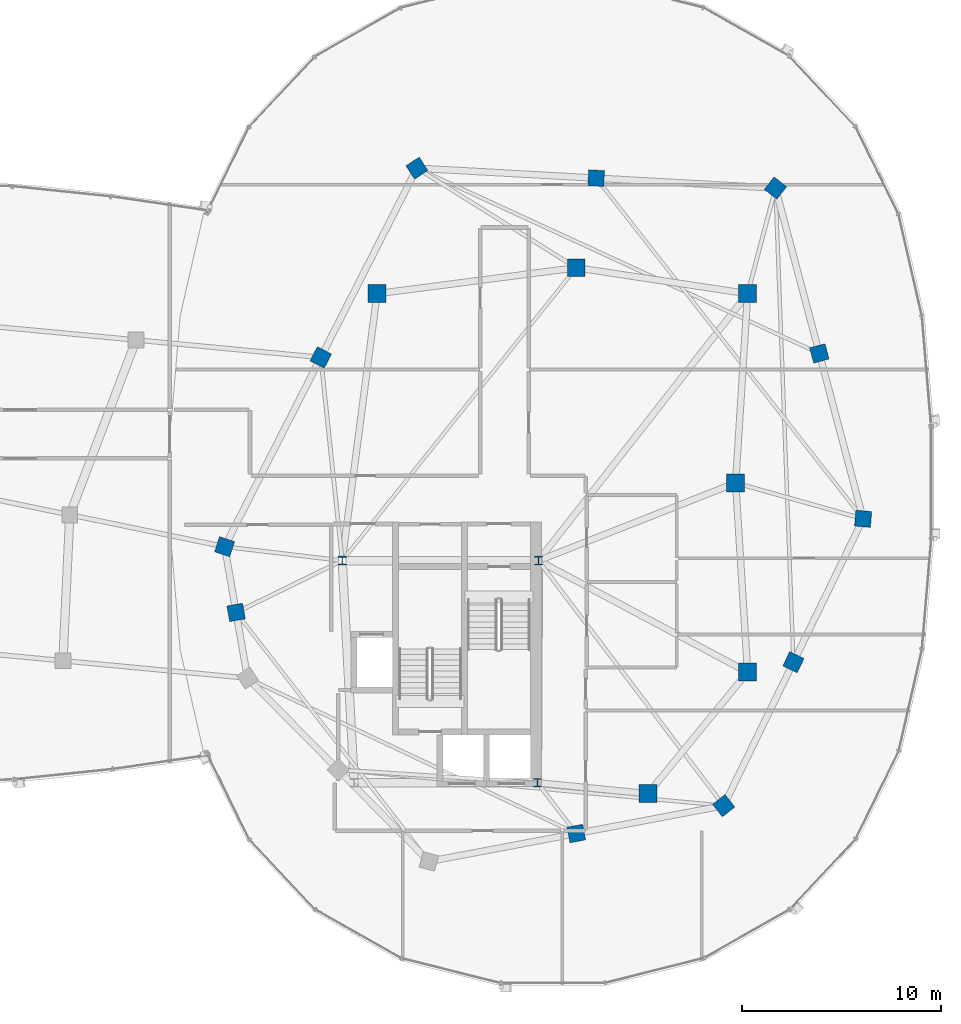
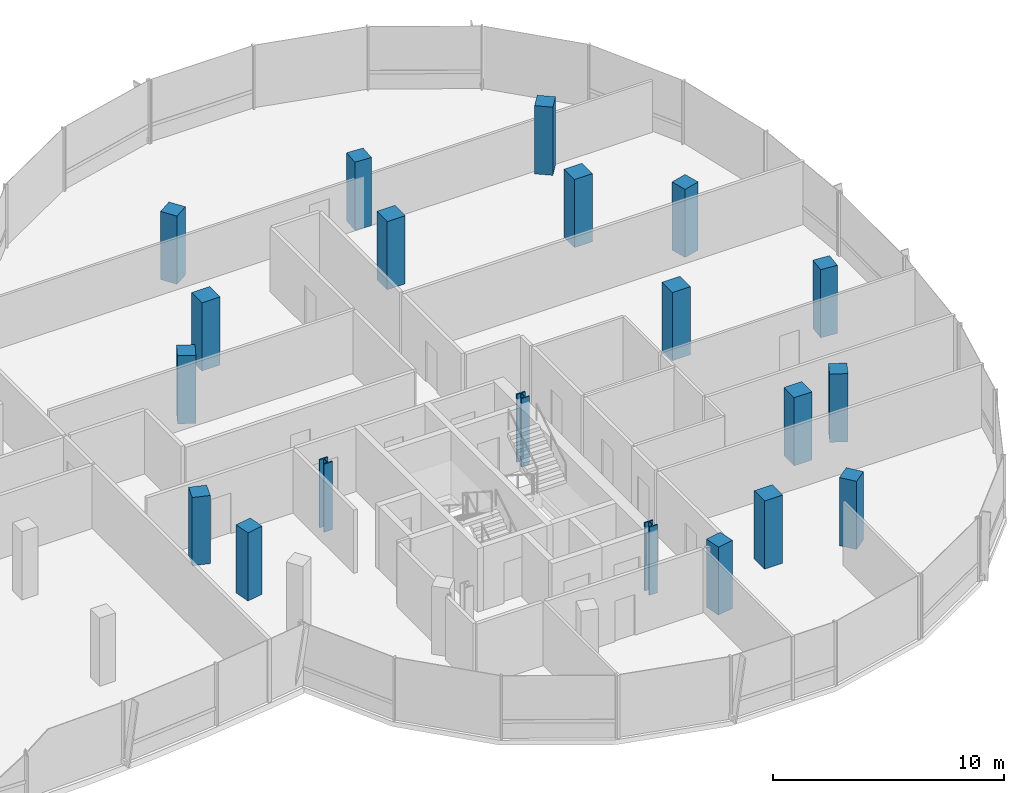
# One storey, part 2 of 26: 20 columns.
"""IFC4 building model written with IfcOpenShell, lengths in metres."""

from ifc_helpers import new_model, si_unit, direction, frame, origin, origin_2d, place, context, subcontext, project, spatial, rectangle, i_section, extrude, material, material_profile, profile_set, type_object, element, save


model = new_model("IFC4")

# Units and contexts
model_context = context("Model", 3, precision=1e-05, world=origin(), true_north=direction((0.0, 1.0)))
body_context = subcontext(model_context, "Body", "Model", "MODEL_VIEW")
ifc_project = project(units=[si_unit("LENGTHUNIT", "METRE"), si_unit("AREAUNIT", "SQUARE_METRE"), si_unit("VOLUMEUNIT", "CUBIC_METRE"), si_unit("PLANEANGLEUNIT", "RADIAN"), si_unit("MASSUNIT", "GRAM", prefix="KILO"), si_unit("THERMODYNAMICTEMPERATUREUNIT", "KELVIN"), si_unit("POWERUNIT", "WATT")], contexts=[model_context])

# Site, building, storey
site_placement = place(None, origin())
site = spatial("IfcSite", under=ifc_project, at=site_placement, CompositionType="ELEMENT")
building_placement = place(site_placement, origin())
building = spatial("IfcBuilding", under=site, at=building_placement, Name="Cundina Bronze Exchange", CompositionType="ELEMENT")
storey_placement = place(building_placement, frame((0.0, 0.0, 261.199951171875)))
storey = spatial("IfcBuildingStorey", under=building, at=storey_placement, Name="L69", CompositionType="ELEMENT", Elevation=261.199951171875)

# Columns
ifc_material_1 = material(Name="Concrete C50/60", Category="concrete")
ifc_material_profile_1 = material_profile(ifc_material_1, rectangle(XDim=0.800048828125, YDim=0.800048828125, at=origin_2d()), Name="RC800X800", Category="concrete")
ifc_profile_set_1 = profile_set([ifc_material_profile_1], Name="Concrete C50/60")
column_type_1 = type_object("IfcColumnType", Name="COL-BRG-800", PredefinedType="COLUMN", material=ifc_profile_set_1)
for number, where, z_axis, x_axis, name in (
    (1, (15.550048828125, -3.199951171875, 0.0), (0.0, 0.0, 1.0), (-0.315152163383, -0.949041155016, 0.0), "L69 E Perimeter Column 00"),
    (2, (16.125, -6.5, 0.0), (0.0, 0.0, 1.0), (0.171585221787, -0.985169280715, 0.0), "L69 E Perimeter Column 01"),
    (3, (33.199951171875, -17.60009765625, 0.0), (0.0, 0.0, 1.0), (0.98258037664, 0.185838110843, 0.0), "L69 E Perimeter Column 05"),
    (4, (40.60009765625, -16.199951171875, 0.0), (0.0, 0.0, 1.0), (0.785100778485, 0.619368038909, 0.0), "L69 E Perimeter Column 06"),
    (5, (44.10009765625, -9.0, 0.0), (0.0, 0.0, 1.0), (0.437115766651, 0.899405251566, 0.0), "L69 E Perimeter Column 07"),
    (6, (47.60009765625, -1.800048828125, 0.0), (0.0, 0.0, 1.0), (0.083503921245, 0.996507448611, 0.0), "L69 E Perimeter Column 08"),
    (7, (45.39990234375, 6.5, 0.0), (0.0, 0.0, 1.0), (-0.256289373133, 0.966600102017, 0.0), "L69 E Perimeter Column 09"),
    (8, (43.199951171875, 14.800048828125, 0.0), (0.0, 0.0, 1.0), (-0.786288432137, 0.61785961309, 0.0), "L69 E Perimeter Column 10"),
    (9, (34.199951171875, 15.300048828125, 0.0), (0.0, 0.0, 1.0), (-0.998460188734, 0.055472980025, 0.0), "L69 E Perimeter Column 11"),
    (10, (25.199951171875, 15.800048828125, 0.0), (0.0, 0.0, 1.0), (-0.838099763533, -0.545516989988, 0.0), "L69 E Perimeter Column 12"),
    (11, (20.375, 6.300048828125, 0.0), (0.0, 0.0, 1.0), (-0.452901591366, -0.891560513111, 0.0), "L69 E Perimeter Column 13"),
):
    element("IfcColumn", number, at=place(storey_placement, frame(where, z_axis=z_axis, x_axis=x_axis)), inside=storey, type_object=column_type_1, Name=name, PredefinedType="COLUMN", context=body_context, shape_type="SweptSolid", body=[
        extrude(rectangle(XDim=0.800048828125, YDim=0.800048828125, at=origin_2d()), origin(), (0.0, 0.0, 1.0), 3.60009765625),
    ])
ifc_material_2 = material(Name="Steel ASTM A992 Grade 50", Category="steel")
ifc_material_profile_2 = material_profile(ifc_material_2, i_section(OverallWidth=0.416015625, OverallDepth=0.446044921875, WebThickness=0.0390625, FlangeThickness=0.062744140625, FilletRadius=0.01806640625, at=origin_2d()), Name="W14X342", Category="steel")
ifc_profile_set_2 = profile_set([ifc_material_profile_2], Name="Steel ASTM A992 Grade 50")
column_type_2 = type_object("IfcColumnType", Name="COL-STL-W14B", PredefinedType="COLUMN", material=ifc_profile_set_2)
for number, where, z_axis, x_axis, name in (
    (12, (31.300048828125, -3.89990234375, 0.0), (0.0, 0.0, 1.0), (1.0, 0.0, 0.0), "L69 Core Anchor Column E1"),
    (13, (21.449951171875, -3.89990234375, 0.0), (0.0, 0.0, 1.0), (1.0, 0.0, 0.0), "L69 Core Anchor Column E2"),
    (14, (31.25, -15.050048828125, 0.0), (0.0, 0.0, 1.0), (1.0, 0.0, 0.0), "L69 Core Anchor Column E4"),
):
    element("IfcColumn", number, at=place(storey_placement, frame(where, z_axis=z_axis, x_axis=x_axis)), inside=storey, type_object=column_type_2, Name=name, PredefinedType="COLUMN", context=body_context, shape_type="SweptSolid", body=[
        extrude(i_section(OverallWidth=0.416015625, OverallDepth=0.446044921875, WebThickness=0.0390625, FlangeThickness=0.062744140625, FilletRadius=0.01806640625, at=origin_2d()), origin(), (0.0, 0.0, 1.0), 3.60009765625),
    ])
ifc_material_profile_3 = material_profile(ifc_material_1, rectangle(XDim=0.89990234375, YDim=0.89990234375, at=origin_2d()), Name="RC900X900", Category="concrete")
ifc_profile_set_3 = profile_set([ifc_material_profile_3], Name="Concrete C50/60")
column_type_3 = type_object("IfcColumnType", Name="COL-Z4-900", PredefinedType="COLUMN", material=ifc_profile_set_3)
for number, where, z_axis, x_axis, name in (
    (15, (41.199951171875, 0.0, 0.0), (0.0, 0.0, 1.0), (1.0, 0.0, 0.0), "L69 E Inner Ring Column 1"),
    (16, (41.800048828125, -9.5, 0.0), (0.0, 0.0, 1.0), (1.0, 0.0, 0.0), "L69 E Inner Ring Column 2"),
    (17, (36.800048828125, -15.60009765625, 0.0), (0.0, 0.0, 1.0), (1.0, 0.0, 0.0), "L69 E Inner Ring Column 3"),
    (18, (41.800048828125, 9.5, 0.0), (0.0, 0.0, 1.0), (1.0, 0.0, 0.0), "L69 E Inner Ring Column 4"),
    (19, (33.199951171875, 10.800048828125, 0.0), (0.0, 0.0, 1.0), (1.0, 0.0, 0.0), "L69 E Inner Ring Column 5"),
    (20, (23.199951171875, 9.5, 0.0), (0.0, 0.0, 1.0), (1.0, 0.0, 0.0), "L69 E Inner Ring Column 6"),
):
    element("IfcColumn", number, at=place(storey_placement, frame(where, z_axis=z_axis, x_axis=x_axis)), inside=storey, type_object=column_type_3, Name=name, PredefinedType="COLUMN", context=body_context, shape_type="SweptSolid", body=[
        extrude(rectangle(XDim=0.89990234375, YDim=0.89990234375, at=origin_2d()), origin(), (0.0, 0.0, 1.0), 3.60009765625),
    ])

save(model, "model.ifc")
